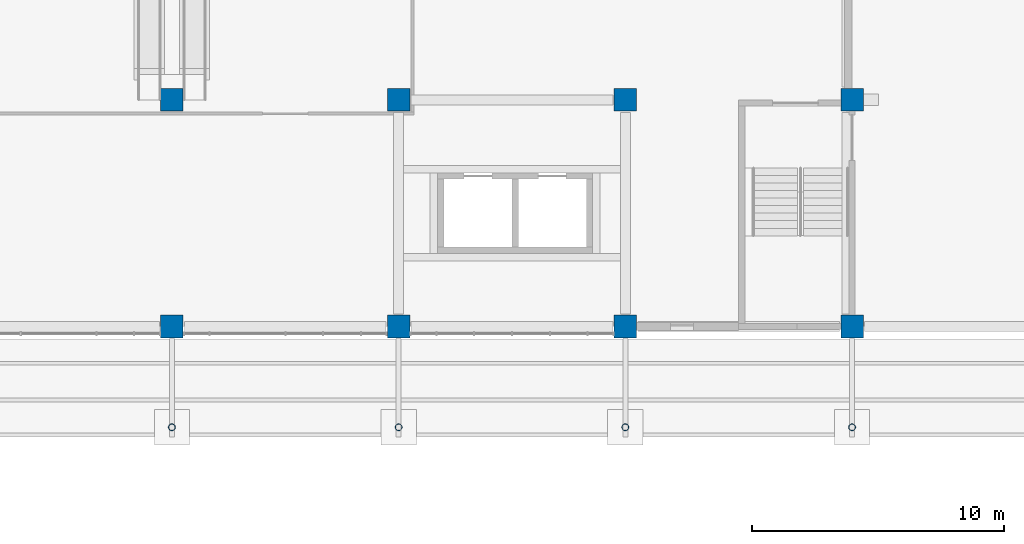
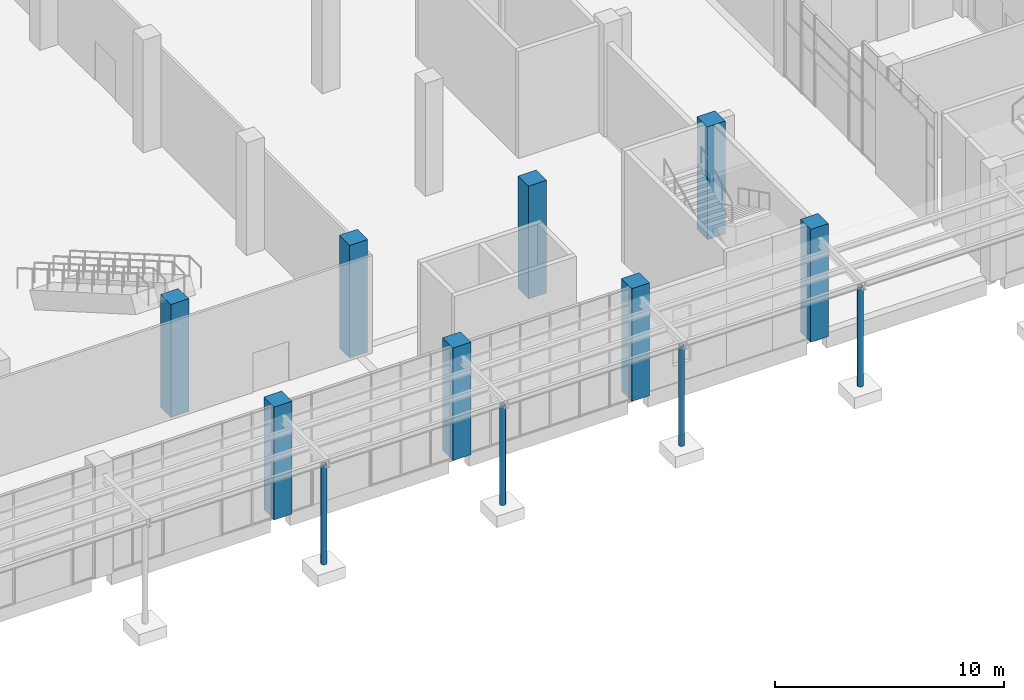
# One storey, part 3 of 86: 12 columns.
"""IFC4 building model written with IfcOpenShell, lengths in metres."""

from ifc_helpers import new_model, si_unit, direction, frame, origin, origin_2d, place, context, subcontext, project, spatial, rectangle, hollow_circle, extrude, material, material_profile, profile_set, type_object, element, save


model = new_model("IFC4")

# Units and contexts
model_context = context("Model", 3, precision=1e-05, world=origin(), true_north=direction((0.0, 1.0)))
body_context = subcontext(model_context, "Body", "Model", "MODEL_VIEW")
ifc_project = project(units=[si_unit("LENGTHUNIT", "METRE"), si_unit("AREAUNIT", "SQUARE_METRE"), si_unit("VOLUMEUNIT", "CUBIC_METRE"), si_unit("PLANEANGLEUNIT", "RADIAN"), si_unit("MASSUNIT", "GRAM", prefix="KILO")], contexts=[model_context])

# Site, building, storey
site_placement = place(None, origin())
site = spatial("IfcSite", under=ifc_project, at=site_placement, CompositionType="ELEMENT")
building_placement = place(site_placement, origin())
building = spatial("IfcBuilding", under=site, at=building_placement, Name="Guidao Yard Department Store", CompositionType="ELEMENT")
storey_placement = place(building_placement, origin())
storey = spatial("IfcBuildingStorey", under=building, at=storey_placement, Name="L00", CompositionType="ELEMENT", Elevation=0.0)

# Columns
ifc_material_1 = material(Name="Concrete C50", Category="concrete")
ifc_material_profile_1 = material_profile(ifc_material_1, rectangle(XDim=0.89990234375, YDim=0.89990234375, at=origin_2d()), Name="COL 900x900")
ifc_profile_set_1 = profile_set([ifc_material_profile_1], Name="Concrete C50")
column_type_1 = type_object("IfcColumnType", Name="Column 900x900 C50", PredefinedType="COLUMN", material=ifc_profile_set_1)
for number, where, z_axis, x_axis, name in (
    (1, (36.0, 45.0, 0.0), (0.0, 0.0, 1.0), (1.0, 0.0, 0.0), "Column 5/F L00"),
    (2, (45.0, 45.0, 0.0), (0.0, 0.0, 1.0), (1.0, 0.0, 0.0), "Column 6/F L00"),
    (3, (54.0, 45.0, 0.0), (0.0, 0.0, 1.0), (1.0, 0.0, 0.0), "Column 7/F L00"),
    (4, (63.0, 45.0, 0.0), (0.0, 0.0, 1.0), (1.0, 0.0, 0.0), "Column 8/F L00"),
    (5, (36.0, 54.0, 0.0), (0.0, 0.0, 1.0), (1.0, 0.0, 0.0), "Column 5/G L00"),
    (6, (45.0, 54.0, 0.0), (0.0, 0.0, 1.0), (1.0, 0.0, 0.0), "Column 6/G L00"),
    (7, (54.0, 54.0, 0.0), (0.0, 0.0, 1.0), (1.0, 0.0, 0.0), "Column 7/G L00"),
    (8, (63.0, 54.0, 0.0), (0.0, 0.0, 1.0), (1.0, 0.0, 0.0), "Column 8/G L00"),
):
    element("IfcColumn", number, at=place(storey_placement, frame(where, z_axis=z_axis, x_axis=x_axis)), inside=storey, type_object=column_type_1, Name=name, PredefinedType="COLUMN", context=body_context, shape_type="SweptSolid", body=[
        extrude(rectangle(XDim=0.89990234375, YDim=0.89990234375, at=origin_2d()), origin(), (0.0, 0.0, 1.0), 6.0),
    ])
ifc_material_2 = material(Name="Steel Q355B", Category="steel")
ifc_material_profile_2 = material_profile(ifc_material_2, hollow_circle(Radius=0.136474609375, WallThickness=0.011962890625, at=origin_2d()), Name="CHS 273x12")
ifc_profile_set_2 = profile_set([ifc_material_profile_2], Name="Steel Q355B")
column_type_2 = type_object("IfcColumnType", Name="Walkway post CHS 273x12", PredefinedType="COLUMN", material=ifc_profile_set_2)
for number, where, z_axis, x_axis, name in (
    (9, (36.0, 41.0, -0.300048828125), (0.0, 0.0, 1.0), (1.0, 0.0, 0.0), "Canopy post EC-4"),
    (10, (45.0, 41.0, -0.300048828125), (0.0, 0.0, 1.0), (1.0, 0.0, 0.0), "Canopy post EC-5"),
    (11, (54.0, 41.0, -0.300048828125), (0.0, 0.0, 1.0), (1.0, 0.0, 0.0), "Canopy post EC-6"),
    (12, (63.0, 41.0, -0.300048828125), (0.0, 0.0, 1.0), (1.0, 0.0, 0.0), "Canopy post EC-7"),
):
    element("IfcColumn", number, at=place(storey_placement, frame(where, z_axis=z_axis, x_axis=x_axis)), inside=storey, type_object=column_type_2, Name=name, PredefinedType="COLUMN", context=body_context, shape_type="SweptSolid", body=[
        extrude(hollow_circle(Radius=0.136474609375, WallThickness=0.011962890625, at=origin_2d()), origin(), (0.0, 0.0, 1.0), 5.300048828125),
    ])

save(model, "model.ifc")
